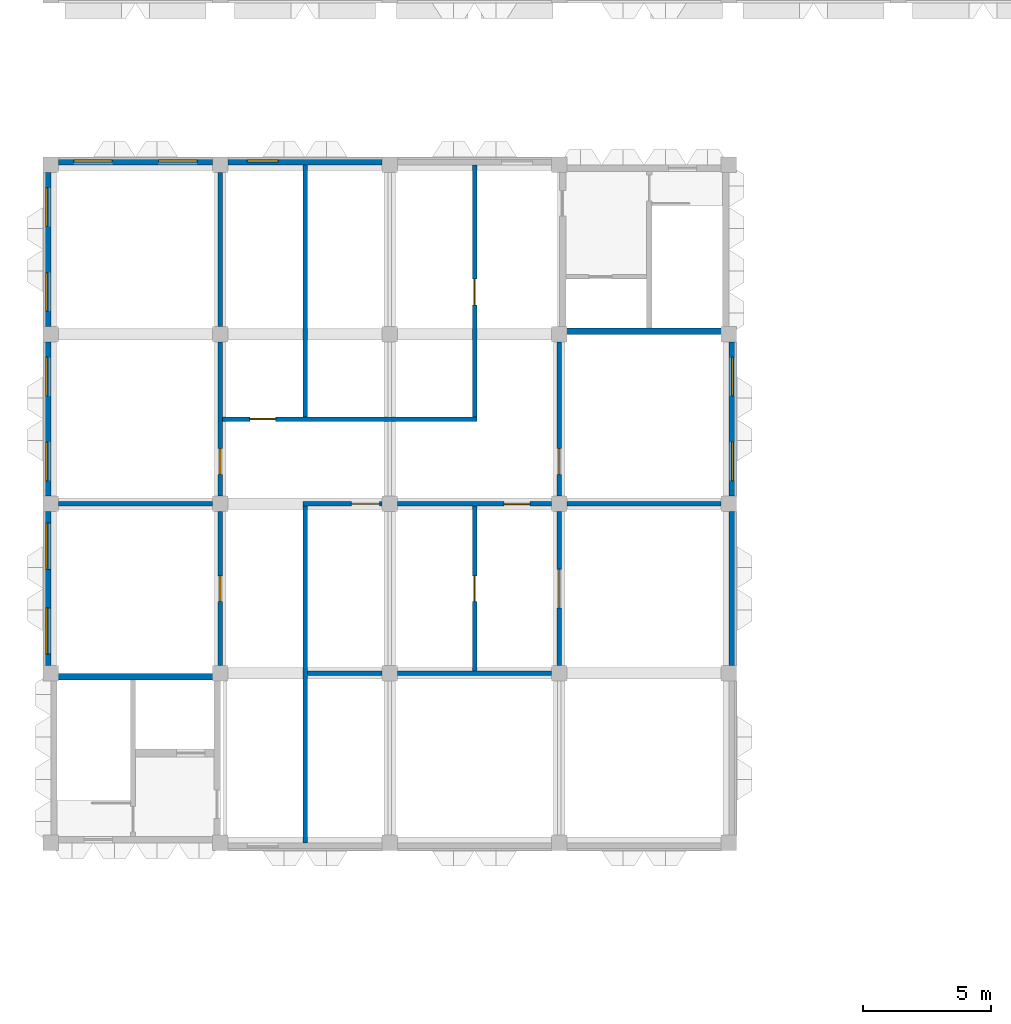
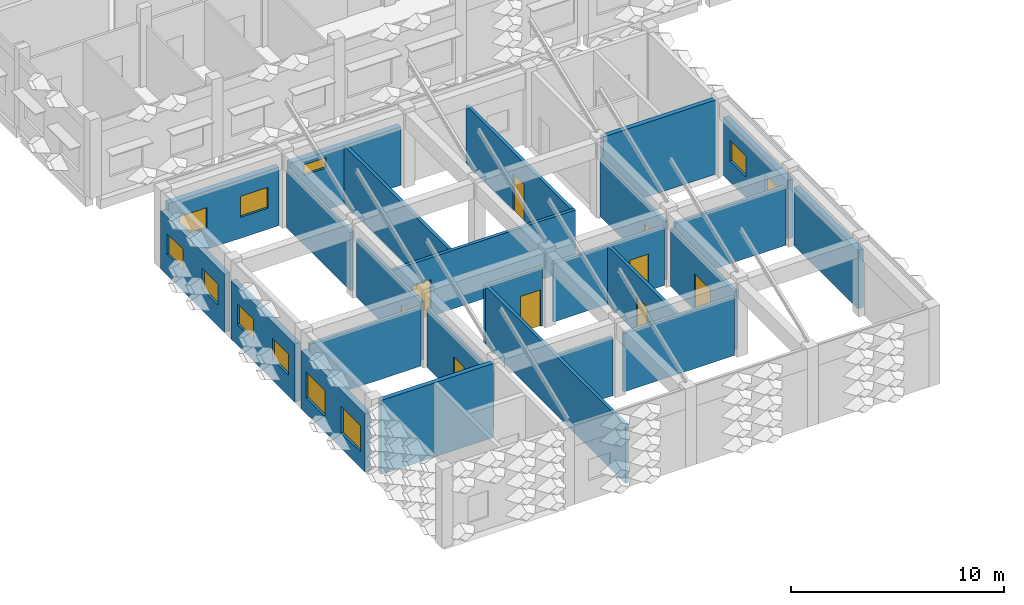
# One storey, part 48 of 102: 25 walls, 11 windows, 9 doors, 20 openings.
"""IFC4 building model written with IfcOpenShell, lengths in metres."""

from ifc_helpers import new_model, si_unit, direction, frame, frame_2d, origin, place, context, subcontext, project, spatial, rectangle, extrude, material, layer, layer_set, type_object, element, fill, save


model = new_model("IFC4")

# Units and contexts
model_context = context("Model", 3, precision=1e-05, world=origin(), true_north=direction((0.0, 1.0)))
body_context = subcontext(model_context, "Body", "Model", "MODEL_VIEW")
ifc_project = project(units=[si_unit("LENGTHUNIT", "METRE"), si_unit("AREAUNIT", "SQUARE_METRE"), si_unit("VOLUMEUNIT", "CUBIC_METRE"), si_unit("PLANEANGLEUNIT", "RADIAN"), si_unit("MASSUNIT", "GRAM", prefix="KILO")], contexts=[model_context])

# Site, building, storey
site_placement = place(None, origin())
site = spatial("IfcSite", under=ifc_project, at=site_placement, CompositionType="ELEMENT")
building_placement = place(site_placement, origin())
building = spatial("IfcBuilding", under=site, at=building_placement, Name="Lantern Court Research Institute", CompositionType="ELEMENT")
storey_placement = place(building_placement, frame((0.0, 0.0, 9.89990234375)))
storey = spatial("IfcBuildingStorey", under=building, at=storey_placement, Name="L02", CompositionType="ELEMENT", Elevation=9.89990234375)

# Walls
ifc_material_1 = material(Name="Coated metal-faced insulated panel")
ifc_layer_1 = layer(ifc_material_1, 0.175048828125)
ifc_layer_set_1 = layer_set([ifc_layer_1], Name="Coated metal-faced insulated panel")
wall_type_1 = type_object("IfcWallType", Name="Clean room wall 175 mm EI 60", PredefinedType="PARTITIONING", material=ifc_layer_set_1)
wall_1_placement = place(storey_placement, frame((9.988037109375, 56.10009765625, 0.0), z_axis=(0.0, 0.0, 1.0), x_axis=(1.0, 0.0, 0.0)))
element("IfcWall", 1, at=wall_1_placement, inside=storey, type_object=wall_type_1, Name="Wall V3-L02-001", PredefinedType="PARTITIONING", context=body_context, shape_type="SweptSolid", body=[
    extrude(rectangle(XDim=2.911865234375, YDim=0.175048828125, at=frame_2d((1.4560546875, 0.0))), origin(), (0.0, 0.0, 1.0), 3.35009765625),
])
for number, where, z_axis, x_axis, name in (
    (2, (13.5, 56.10009765625, 0.0), (0.0, 0.0, 1.0), (1.0, 0.0, 0.0), "Wall V3-L02-002"),
    (3, (0.300048828125, 62.699951171875, 0.0), (0.0, 0.0, 1.0), (1.0, 0.0, 0.0), "Wall V3-L02-003"),
):
    element("IfcWall", number, at=place(storey_placement, frame(where, z_axis=z_axis, x_axis=x_axis)), inside=storey, type_object=wall_type_1, Name=name, PredefinedType="PARTITIONING", context=body_context, shape_type="SweptSolid", body=[
        extrude(rectangle(XDim=6.0, YDim=0.175048828125, at=frame_2d((3.0, 0.0))), origin(), (0.0, 0.0, 1.0), 3.35009765625),
    ])

# Wall, opening, door
wall_2_placement = place(storey_placement, frame((12.89990234375, 62.699951171875, 0.0), z_axis=(0.0, 0.0, 1.0), x_axis=(-1.0, 0.0, 0.0)))
wall_2 = element("IfcWall", 4, at=wall_2_placement, inside=storey, type_object=wall_type_1, Name="Wall V3-L02-004", PredefinedType="PARTITIONING", context=body_context, shape_type="SweptSolid", body=[
    extrude(rectangle(XDim=3.087890625, YDim=0.175048828125, at=frame_2d((1.5439453125, 0.0))), origin(), (0.0, 0.0, 1.0), 3.35009765625),
])
opening_1_placement = place(wall_2_placement, frame((0.10009765625, 0.0, 0.0)))
opening_1 = element("IfcOpeningElement", 5, at=opening_1_placement, cuts=wall_2, Name="Opening D3201", PredefinedType="OPENING", context=body_context, shape_type="SweptSolid", body=[
    extrude(rectangle(XDim=1.10009765625, YDim=2.10009765625, at=frame_2d((0.550048828125, 1.050048828125))), frame((0.0, 0.097412109375, 0.0), z_axis=(0.0, -1.0, 0.0), x_axis=(1.0, 0.0, 0.0)), (0.0, 0.0, 1.0), 0.195068359375),
])
ifc_material_2 = material(Name="Hygienic coated metal door leaf")
door_type_1 = type_object("IfcDoorType", Name="Door 1100 x 2100 gowning FD30S", OperationType="NOTDEFINED", PredefinedType="DOOR", material=ifc_material_2)
door_1_placement = place(opening_1_placement, origin())
door_1 = element("IfcDoor", 6, at=door_1_placement, inside=storey, type_object=door_type_1, Name="Door D3201", OperationType="SINGLE_SWING_RIGHT", OverallHeight=2.10009765625, OverallWidth=1.10009765625, PredefinedType="DOOR", context=body_context, shape_type="SweptSolid", body=[
    extrude(rectangle(XDim=1.10009765625, YDim=2.10009765625, at=frame_2d((0.550048828125, 1.050048828125))), frame((0.0, 0.02490234375, 0.0), z_axis=(0.0, -1.0, 0.0), x_axis=(1.0, 0.0, 0.0)), (0.0, 0.0, 1.0), 0.050048828125),
])
fill(opening_1, door_1)

wall_3_placement = place(storey_placement, frame((13.5, 62.699951171875, 0.0), z_axis=(0.0, 0.0, 1.0), x_axis=(1.0, 0.0, 0.0)))
wall_3 = element("IfcWall", 7, at=wall_3_placement, inside=storey, type_object=wall_type_1, Name="Wall V3-L02-005", PredefinedType="PARTITIONING", context=body_context, shape_type="SweptSolid", body=[
    extrude(rectangle(XDim=6.0, YDim=0.175048828125, at=frame_2d((3.0, 0.0))), origin(), (0.0, 0.0, 1.0), 3.35009765625),
])
opening_2_placement = place(wall_3_placement, frame((4.14990234375, 0.0, 0.0)))
opening_2 = element("IfcOpeningElement", 8, at=opening_2_placement, cuts=wall_3, Name="Opening D3202", PredefinedType="OPENING", context=body_context, shape_type="SweptSolid", body=[
    extrude(rectangle(XDim=1.0, YDim=2.10009765625, at=frame_2d((0.5, 1.050048828125))), frame((0.0, 0.097412109375, 0.0), z_axis=(0.0, -1.0, 0.0), x_axis=(1.0, 0.0, 0.0)), (0.0, 0.0, 1.0), 0.195068359375),
])
ifc_material_3 = material(Name="Hygienic coated metal door leaf")
door_type_2 = type_object("IfcDoorType", Name="Door 1000 x 2100 clean room FD30S", OperationType="NOTDEFINED", PredefinedType="DOOR", material=ifc_material_3)
door_2_placement = place(opening_2_placement, origin())
door_2 = element("IfcDoor", 9, at=door_2_placement, inside=storey, type_object=door_type_2, Name="Door D3202", OperationType="SINGLE_SWING_LEFT", OverallHeight=2.10009765625, OverallWidth=1.0, PredefinedType="DOOR", context=body_context, shape_type="SweptSolid", body=[
    extrude(rectangle(XDim=1.0, YDim=2.10009765625, at=frame_2d((0.5, 1.050048828125))), frame((0.0, 0.02490234375, 0.0), z_axis=(0.0, -1.0, 0.0), x_axis=(1.0, 0.0, 0.0)), (0.0, 0.0, 1.0), 0.050048828125),
])
fill(opening_2, door_2)

# Wall
wall_4_placement = place(storey_placement, frame((20.10009765625, 62.699951171875, 0.0), z_axis=(0.0, 0.0, 1.0), x_axis=(1.0, 0.0, 0.0)))
element("IfcWall", 10, at=wall_4_placement, inside=storey, type_object=wall_type_1, Name="Wall V3-L02-006", PredefinedType="PARTITIONING", context=body_context, shape_type="SweptSolid", body=[
    extrude(rectangle(XDim=6.0, YDim=0.175048828125, at=frame_2d((3.0, 0.0))), origin(), (0.0, 0.0, 1.0), 3.35009765625),
])

# Wall, opening, door
wall_5_placement = place(storey_placement, frame((6.68798828125, 66.0, 0.0), z_axis=(0.0, 0.0, 1.0), x_axis=(1.0, 0.0, 0.0)))
wall_5 = element("IfcWall", 11, at=wall_5_placement, inside=storey, type_object=wall_type_1, Name="Wall V3-L02-007", PredefinedType="PARTITIONING", context=body_context, shape_type="SweptSolid", body=[
    extrude(rectangle(XDim=9.89892578125, YDim=0.175048828125, at=frame_2d((4.949462890625, 0.0))), origin(), (0.0, 0.0, 1.0), 3.35009765625),
])
opening_3_placement = place(wall_5_placement, frame((1.06201171875, 0.0, 0.0)))
opening_3 = element("IfcOpeningElement", 12, at=opening_3_placement, cuts=wall_5, Name="Opening D3203", PredefinedType="OPENING", context=body_context, shape_type="SweptSolid", body=[
    extrude(rectangle(XDim=1.0, YDim=2.10009765625, at=frame_2d((0.5, 1.050048828125))), frame((0.0, 0.097412109375, 0.0), z_axis=(0.0, -1.0, 0.0), x_axis=(1.0, 0.0, 0.0)), (0.0, 0.0, 1.0), 0.195068359375),
])
ifc_material_4 = material(Name="Coated metal door leaf")
door_type_3 = type_object("IfcDoorType", Name="Door 1000 x 2100 plant FD60", OperationType="NOTDEFINED", PredefinedType="DOOR", material=ifc_material_4)
door_3_placement = place(opening_3_placement, origin())
door_3 = element("IfcDoor", 13, at=door_3_placement, inside=storey, type_object=door_type_3, Name="Door D3203", OperationType="SINGLE_SWING_LEFT", OverallHeight=2.10009765625, OverallWidth=1.0, PredefinedType="DOOR", context=body_context, shape_type="SweptSolid", body=[
    extrude(rectangle(XDim=1.0, YDim=2.10009765625, at=frame_2d((0.5, 1.050048828125))), frame((0.0, 0.02490234375, 0.0), z_axis=(0.0, -1.0, 0.0), x_axis=(1.0, 0.0, 0.0)), (0.0, 0.0, 1.0), 0.050048828125),
])
fill(opening_3, door_3)

wall_6_placement = place(storey_placement, frame((6.60009765625, 56.39990234375, 0.0), z_axis=(0.0, 0.0, 1.0), x_axis=(0.0, 1.0, 0.0)))
wall_6 = element("IfcWall", 14, at=wall_6_placement, inside=storey, type_object=wall_type_1, Name="Wall V3-L02-008", PredefinedType="PARTITIONING", context=body_context, shape_type="SweptSolid", body=[
    extrude(rectangle(XDim=6.0, YDim=0.175048828125, at=frame_2d((3.0, 0.0))), origin(), (0.0, 0.0, 1.0), 3.35009765625),
])
opening_4_placement = place(wall_6_placement, frame((2.5, 0.0, 0.0)))
opening_4 = element("IfcOpeningElement", 15, at=opening_4_placement, cuts=wall_6, Name="Opening D3204", PredefinedType="OPENING", context=body_context, shape_type="SweptSolid", body=[
    extrude(rectangle(XDim=1.0, YDim=2.10009765625, at=frame_2d((0.5, 1.050048828125))), frame((0.0, 0.097412109375, 0.0), z_axis=(0.0, -1.0, 0.0), x_axis=(1.0, 0.0, 0.0)), (0.0, 0.0, 1.0), 0.195068359375),
])
door_4_placement = place(opening_4_placement, origin())
door_4 = element("IfcDoor", 16, at=door_4_placement, inside=storey, type_object=door_type_2, Name="Door D3204", OperationType="SINGLE_SWING_LEFT", OverallHeight=2.10009765625, OverallWidth=1.0, PredefinedType="DOOR", context=body_context, shape_type="SweptSolid", body=[
    extrude(rectangle(XDim=1.0, YDim=2.10009765625, at=frame_2d((0.5, 1.050048828125))), frame((0.0, 0.02490234375, 0.0), z_axis=(0.0, -1.0, 0.0), x_axis=(1.0, 0.0, 0.0)), (0.0, 0.0, 1.0), 0.050048828125),
])
fill(opening_4, door_4)

wall_7_placement = place(storey_placement, frame((6.60009765625, 63.0, 0.0), z_axis=(0.0, 0.0, 1.0), x_axis=(0.0, 1.0, 0.0)))
wall_7 = element("IfcWall", 17, at=wall_7_placement, inside=storey, type_object=wall_type_1, Name="Wall V3-L02-009", PredefinedType="PARTITIONING", context=body_context, shape_type="SweptSolid", body=[
    extrude(rectangle(XDim=6.0, YDim=0.175048828125, at=frame_2d((3.0, 0.0))), origin(), (0.0, 0.0, 1.0), 3.35009765625),
])
opening_5_placement = place(wall_7_placement, frame((0.85009765625, 0.0, 0.0)))
opening_5 = element("IfcOpeningElement", 18, at=opening_5_placement, cuts=wall_7, Name="Opening D3205", PredefinedType="OPENING", context=body_context, shape_type="SweptSolid", body=[
    extrude(rectangle(XDim=1.0, YDim=2.10009765625, at=frame_2d((0.5, 1.050048828125))), frame((0.0, 0.097412109375, 0.0), z_axis=(0.0, -1.0, 0.0), x_axis=(1.0, 0.0, 0.0)), (0.0, 0.0, 1.0), 0.195068359375),
])
door_5_placement = place(opening_5_placement, origin())
door_5 = element("IfcDoor", 19, at=door_5_placement, inside=storey, type_object=door_type_2, Name="Door D3205", OperationType="SINGLE_SWING_LEFT", OverallHeight=2.10009765625, OverallWidth=1.0, PredefinedType="DOOR", context=body_context, shape_type="SweptSolid", body=[
    extrude(rectangle(XDim=1.0, YDim=2.10009765625, at=frame_2d((0.5, 1.050048828125))), frame((0.0, 0.02490234375, 0.0), z_axis=(0.0, -1.0, 0.0), x_axis=(1.0, 0.0, 0.0)), (0.0, 0.0, 1.0), 0.050048828125),
])
fill(opening_5, door_5)

# Walls
wall_8_placement = place(storey_placement, frame((6.60009765625, 69.60009765625, 0.0), z_axis=(0.0, 0.0, 1.0), x_axis=(0.0, 1.0, 0.0)))
element("IfcWall", 20, at=wall_8_placement, inside=storey, type_object=wall_type_1, Name="Wall V3-L02-010", PredefinedType="PARTITIONING", context=body_context, shape_type="SweptSolid", body=[
    extrude(rectangle(XDim=6.0, YDim=0.175048828125, at=frame_2d((3.0, 0.0))), origin(), (0.0, 0.0, 1.0), 3.35009765625),
])
wall_9_placement = place(storey_placement, frame((9.89990234375, 49.5, 0.0), z_axis=(0.0, 0.0, 1.0), x_axis=(0.0, 1.0, 0.0)))
element("IfcWall", 21, at=wall_9_placement, inside=storey, type_object=wall_type_1, Name="Wall V3-L02-011", PredefinedType="PARTITIONING", context=body_context, shape_type="SweptSolid", body=[
    extrude(rectangle(XDim=13.113037109375, YDim=0.175048828125, at=frame_2d((6.556640625, 0.0))), origin(), (0.0, 0.0, 1.0), 3.35009765625),
])
wall_10_placement = place(storey_placement, frame((9.89990234375, 66.087890625, 0.0), z_axis=(0.0, 0.0, 1.0), x_axis=(0.0, 1.0, 0.0)))
element("IfcWall", 22, at=wall_10_placement, inside=storey, type_object=wall_type_1, Name="Wall V3-L02-012", PredefinedType="PARTITIONING", context=body_context, shape_type="SweptSolid", body=[
    extrude(rectangle(XDim=9.81201171875, YDim=0.175048828125, at=frame_2d((4.906005859375, 0.0))), origin(), (0.0, 0.0, 1.0), 3.35009765625),
])

# Wall, opening, door
wall_11_placement = place(storey_placement, frame((16.5, 56.18798828125, 0.0), z_axis=(0.0, 0.0, 1.0), x_axis=(0.0, 1.0, 0.0)))
wall_11 = element("IfcWall", 23, at=wall_11_placement, inside=storey, type_object=wall_type_1, Name="Wall V3-L02-013", PredefinedType="PARTITIONING", context=body_context, shape_type="SweptSolid", body=[
    extrude(rectangle(XDim=6.425048828125, YDim=0.175048828125, at=frame_2d((3.21240234375, 0.0))), origin(), (0.0, 0.0, 1.0), 3.35009765625),
])
opening_6_placement = place(wall_11_placement, frame((2.7119140625, 0.0, 0.0)))
opening_6 = element("IfcOpeningElement", 24, at=opening_6_placement, cuts=wall_11, Name="Opening D3206", PredefinedType="OPENING", context=body_context, shape_type="SweptSolid", body=[
    extrude(rectangle(XDim=1.0, YDim=2.10009765625, at=frame_2d((0.5, 1.050048828125))), frame((0.0, 0.097412109375, 0.0), z_axis=(0.0, -1.0, 0.0), x_axis=(1.0, 0.0, 0.0)), (0.0, 0.0, 1.0), 0.195068359375),
])
door_6_placement = place(opening_6_placement, origin())
door_6 = element("IfcDoor", 25, at=door_6_placement, inside=storey, type_object=door_type_2, Name="Door D3206", OperationType="SINGLE_SWING_LEFT", OverallHeight=2.10009765625, OverallWidth=1.0, PredefinedType="DOOR", context=body_context, shape_type="SweptSolid", body=[
    extrude(rectangle(XDim=1.0, YDim=2.10009765625, at=frame_2d((0.5, 1.050048828125))), frame((0.0, 0.02490234375, 0.0), z_axis=(0.0, -1.0, 0.0), x_axis=(1.0, 0.0, 0.0)), (0.0, 0.0, 1.0), 0.050048828125),
])
fill(opening_6, door_6)

wall_12_placement = place(storey_placement, frame((16.5, 66.087890625, 0.0), z_axis=(0.0, 0.0, 1.0), x_axis=(0.0, 1.0, 0.0)))
wall_12 = element("IfcWall", 26, at=wall_12_placement, inside=storey, type_object=wall_type_1, Name="Wall V3-L02-014", PredefinedType="PARTITIONING", context=body_context, shape_type="SweptSolid", body=[
    extrude(rectangle(XDim=9.81201171875, YDim=0.175048828125, at=frame_2d((4.906005859375, 0.0))), origin(), (0.0, 0.0, 1.0), 3.35009765625),
])
opening_7_placement = place(wall_12_placement, frame((4.362060546875, 0.0, 0.0)))
opening_7 = element("IfcOpeningElement", 27, at=opening_7_placement, cuts=wall_12, Name="Opening D3207", PredefinedType="OPENING", context=body_context, shape_type="SweptSolid", body=[
    extrude(rectangle(XDim=1.0, YDim=2.10009765625, at=frame_2d((0.5, 1.050048828125))), frame((0.0, 0.097412109375, 0.0), z_axis=(0.0, -1.0, 0.0), x_axis=(1.0, 0.0, 0.0)), (0.0, 0.0, 1.0), 0.195068359375),
])
door_7_placement = place(opening_7_placement, origin())
door_7 = element("IfcDoor", 28, at=door_7_placement, inside=storey, type_object=door_type_3, Name="Door D3207", OperationType="SINGLE_SWING_LEFT", OverallHeight=2.10009765625, OverallWidth=1.0, PredefinedType="DOOR", context=body_context, shape_type="SweptSolid", body=[
    extrude(rectangle(XDim=1.0, YDim=2.10009765625, at=frame_2d((0.5, 1.050048828125))), frame((0.0, 0.02490234375, 0.0), z_axis=(0.0, -1.0, 0.0), x_axis=(1.0, 0.0, 0.0)), (0.0, 0.0, 1.0), 0.050048828125),
])
fill(opening_7, door_7)

wall_13_placement = place(storey_placement, frame((19.800048828125, 56.39990234375, 0.0), z_axis=(0.0, 0.0, 1.0), x_axis=(0.0, 1.0, 0.0)))
wall_13 = element("IfcWall", 29, at=wall_13_placement, inside=storey, type_object=wall_type_1, Name="Wall V3-L02-015", PredefinedType="PARTITIONING", context=body_context, shape_type="SweptSolid", body=[
    extrude(rectangle(XDim=6.0, YDim=0.175048828125, at=frame_2d((3.0, 0.0))), origin(), (0.0, 0.0, 1.0), 3.35009765625),
])
opening_8_placement = place(wall_13_placement, frame((2.25, 0.0, 0.0)))
opening_8 = element("IfcOpeningElement", 30, at=opening_8_placement, cuts=wall_13, Name="Opening D3208", PredefinedType="OPENING", context=body_context, shape_type="SweptSolid", body=[
    extrude(rectangle(XDim=1.5, YDim=2.10009765625, at=frame_2d((0.75, 1.050048828125))), frame((0.0, 0.097412109375, 0.0), z_axis=(0.0, -1.0, 0.0), x_axis=(1.0, 0.0, 0.0)), (0.0, 0.0, 1.0), 0.195068359375),
])
ifc_material_5 = material(Name="Hygienic coated metal door leaf")
door_type_4 = type_object("IfcDoorType", Name="Door 1500 x 2100 clean room pair FD30S", OperationType="DOUBLE_DOOR_SINGLE_SWING", PredefinedType="DOOR", material=ifc_material_5)
door_8_placement = place(opening_8_placement, origin())
door_8 = element("IfcDoor", 31, at=door_8_placement, inside=storey, type_object=door_type_4, Name="Door D3208", OperationType="DOUBLE_DOOR_SINGLE_SWING", OverallHeight=2.10009765625, OverallWidth=1.5, PredefinedType="DOOR", context=body_context, shape_type="SweptSolid", body=[
    extrude(rectangle(XDim=1.5, YDim=2.10009765625, at=frame_2d((0.75, 1.050048828125))), frame((0.0, 0.02490234375, 0.0), z_axis=(0.0, -1.0, 0.0), x_axis=(1.0, 0.0, 0.0)), (0.0, 0.0, 1.0), 0.050048828125),
])
fill(opening_8, door_8)

wall_14_placement = place(storey_placement, frame((19.800048828125, 69.0, 0.0), z_axis=(0.0, 0.0, 1.0), x_axis=(0.0, -1.0, 0.0)))
wall_14 = element("IfcWall", 32, at=wall_14_placement, inside=storey, type_object=wall_type_1, Name="Wall V3-L02-016", PredefinedType="PARTITIONING", context=body_context, shape_type="SweptSolid", body=[
    extrude(rectangle(XDim=6.0, YDim=0.175048828125, at=frame_2d((3.0, 0.0))), origin(), (0.0, 0.0, 1.0), 3.35009765625),
])
opening_9_placement = place(wall_14_placement, frame((4.14990234375, 0.0, 0.0)))
opening_9 = element("IfcOpeningElement", 33, at=opening_9_placement, cuts=wall_14, Name="Opening D3209", PredefinedType="OPENING", context=body_context, shape_type="SweptSolid", body=[
    extrude(rectangle(XDim=1.0, YDim=2.10009765625, at=frame_2d((0.5, 1.050048828125))), frame((0.0, 0.097412109375, 0.0), z_axis=(0.0, -1.0, 0.0), x_axis=(1.0, 0.0, 0.0)), (0.0, 0.0, 1.0), 0.195068359375),
])
door_9_placement = place(opening_9_placement, origin())
door_9 = element("IfcDoor", 34, at=door_9_placement, inside=storey, type_object=door_type_2, Name="Door D3209", OperationType="SINGLE_SWING_RIGHT", OverallHeight=2.10009765625, OverallWidth=1.0, PredefinedType="DOOR", context=body_context, shape_type="SweptSolid", body=[
    extrude(rectangle(XDim=1.0, YDim=2.10009765625, at=frame_2d((0.5, 1.050048828125))), frame((0.0, 0.02490234375, 0.0), z_axis=(0.0, -1.0, 0.0), x_axis=(1.0, 0.0, 0.0)), (0.0, 0.0, 1.0), 0.050048828125),
])
fill(opening_9, door_9)

# Wall
ifc_material_6 = material(Name="Aluminium composite panel with mineral wool insulation", Category="aluminium")
ifc_layer_2 = layer(ifc_material_6, 0.300048828125)
ifc_layer_set_2 = layer_set([ifc_layer_2], Name="Aluminium composite panel with mineral wool insulation")
wall_type_2 = type_object("IfcWallType", Name="Insulated panel wall 300 aluminium faced", PredefinedType="STANDARD", material=ifc_layer_set_2)
wall_15_placement = place(storey_placement, frame((26.550048828125, 62.39990234375, 0.0), z_axis=(0.0, 0.0, 1.0), x_axis=(0.0, -1.0, 0.0)))
element("IfcWall", 35, at=wall_15_placement, inside=storey, type_object=wall_type_2, Name="Exterior wall EW132", PredefinedType="STANDARD", context=body_context, shape_type="SweptSolid", body=[
    extrude(rectangle(XDim=6.0, YDim=0.300048828125, at=frame_2d((3.0, 0.0))), origin(), (0.0, 0.0, 1.0), 3.35009765625),
])

# Wall, openings, windows
wall_16_placement = place(storey_placement, frame((26.550048828125, 69.0, 0.0), z_axis=(0.0, 0.0, 1.0), x_axis=(0.0, -1.0, 0.0)))
wall_16 = element("IfcWall", 36, at=wall_16_placement, inside=storey, type_object=wall_type_2, Name="Exterior wall EW133", PredefinedType="STANDARD", context=body_context, shape_type="SweptSolid", body=[
    extrude(rectangle(XDim=6.0, YDim=0.300048828125, at=frame_2d((3.0, 0.0))), origin(), (0.0, 0.0, 1.0), 3.35009765625),
])
opening_10_placement = place(wall_16_placement, frame((3.89990234375, 0.0, 1.199951171875)))
opening_10 = element("IfcOpeningElement", 37, at=opening_10_placement, cuts=wall_16, Name="Opening W04", PredefinedType="OPENING", context=body_context, shape_type="SweptSolid", body=[
    extrude(rectangle(XDim=1.5, YDim=1.199951171875, at=frame_2d((0.75, 0.60009765625))), frame((0.0, 0.159912109375, 0.0), z_axis=(0.0, -1.0, 0.0), x_axis=(1.0, 0.0, 0.0)), (0.0, 0.0, 1.0), 0.320068359375),
])
opening_11_placement = place(wall_16_placement, frame((0.60009765625, 0.0, 1.199951171875)))
opening_11 = element("IfcOpeningElement", 38, at=opening_11_placement, cuts=wall_16, Name="Opening W04", PredefinedType="OPENING", context=body_context, shape_type="SweptSolid", body=[
    extrude(rectangle(XDim=1.5, YDim=1.199951171875, at=frame_2d((0.75, 0.60009765625))), frame((0.0, 0.159912109375, 0.0), z_axis=(0.0, -1.0, 0.0), x_axis=(1.0, 0.0, 0.0)), (0.0, 0.0, 1.0), 0.320068359375),
])
ifc_material_7 = material(Name="Aluminium frame with laminated low-emissivity glazing", Category="aluminium")
window_type_1 = type_object("IfcWindowType", Name="Laboratory window 1500 x 1200", PartitioningType="SINGLE_PANEL", PredefinedType="WINDOW", material=ifc_material_7)
window_1_placement = place(opening_10_placement, origin())
window_1 = element("IfcWindow", 39, at=window_1_placement, inside=storey, type_object=window_type_1, Name="Window W04 V3E L02", OverallHeight=1.199951171875, OverallWidth=1.5, PartitioningType="SINGLE_PANEL", PredefinedType="WINDOW", context=body_context, shape_type="SweptSolid", body=[
    extrude(rectangle(XDim=1.5, YDim=1.199951171875, at=frame_2d((0.75, 0.60009765625))), frame((0.0, 0.030029296875, 0.0), z_axis=(0.0, -1.0, 0.0), x_axis=(1.0, 0.0, 0.0)), (0.0, 0.0, 1.0), 0.06005859375),
])
fill(opening_10, window_1)
window_2_placement = place(opening_11_placement, origin())
window_2 = element("IfcWindow", 40, at=window_2_placement, inside=storey, type_object=window_type_1, Name="Window W04 V3E L02", OverallHeight=1.199951171875, OverallWidth=1.5, PartitioningType="SINGLE_PANEL", PredefinedType="WINDOW", context=body_context, shape_type="SweptSolid", body=[
    extrude(rectangle(XDim=1.5, YDim=1.199951171875, at=frame_2d((0.75, 0.60009765625))), frame((0.0, 0.030029296875, 0.0), z_axis=(0.0, -1.0, 0.0), x_axis=(1.0, 0.0, 0.0)), (0.0, 0.0, 1.0), 0.06005859375),
])
fill(opening_11, window_2)

wall_17_placement = place(storey_placement, frame((0.300048828125, 76.050048828125, 0.0), z_axis=(0.0, 0.0, 1.0), x_axis=(1.0, 0.0, 0.0)))
wall_17 = element("IfcWall", 41, at=wall_17_placement, inside=storey, type_object=wall_type_2, Name="Exterior wall EW134", PredefinedType="STANDARD", context=body_context, shape_type="SweptSolid", body=[
    extrude(rectangle(XDim=6.0, YDim=0.300048828125, at=frame_2d((3.0, 0.0))), origin(), (0.0, 0.0, 1.0), 3.35009765625),
])
opening_12_placement = place(wall_17_placement, frame((0.60009765625, 0.0, 1.199951171875)))
opening_12 = element("IfcOpeningElement", 42, at=opening_12_placement, cuts=wall_17, Name="Opening W04", PredefinedType="OPENING", context=body_context, shape_type="SweptSolid", body=[
    extrude(rectangle(XDim=1.5, YDim=1.199951171875, at=frame_2d((0.75, 0.60009765625))), frame((0.0, 0.159912109375, 0.0), z_axis=(0.0, -1.0, 0.0), x_axis=(1.0, 0.0, 0.0)), (0.0, 0.0, 1.0), 0.320068359375),
])
opening_13_placement = place(wall_17_placement, frame((3.89990234375, 0.0, 1.199951171875)))
opening_13 = element("IfcOpeningElement", 43, at=opening_13_placement, cuts=wall_17, Name="Opening W04", PredefinedType="OPENING", context=body_context, shape_type="SweptSolid", body=[
    extrude(rectangle(XDim=1.5, YDim=1.199951171875, at=frame_2d((0.75, 0.60009765625))), frame((0.0, 0.159912109375, 0.0), z_axis=(0.0, -1.0, 0.0), x_axis=(1.0, 0.0, 0.0)), (0.0, 0.0, 1.0), 0.320068359375),
])
window_3_placement = place(opening_12_placement, origin())
window_3 = element("IfcWindow", 44, at=window_3_placement, inside=storey, type_object=window_type_1, Name="Window W04 V3N L02", OverallHeight=1.199951171875, OverallWidth=1.5, PartitioningType="SINGLE_PANEL", PredefinedType="WINDOW", context=body_context, shape_type="SweptSolid", body=[
    extrude(rectangle(XDim=1.5, YDim=1.199951171875, at=frame_2d((0.75, 0.60009765625))), frame((0.0, 0.030029296875, 0.0), z_axis=(0.0, -1.0, 0.0), x_axis=(1.0, 0.0, 0.0)), (0.0, 0.0, 1.0), 0.06005859375),
])
fill(opening_12, window_3)
window_4_placement = place(opening_13_placement, origin())
window_4 = element("IfcWindow", 45, at=window_4_placement, inside=storey, type_object=window_type_1, Name="Window W04 V3N L02", OverallHeight=1.199951171875, OverallWidth=1.5, PartitioningType="SINGLE_PANEL", PredefinedType="WINDOW", context=body_context, shape_type="SweptSolid", body=[
    extrude(rectangle(XDim=1.5, YDim=1.199951171875, at=frame_2d((0.75, 0.60009765625))), frame((0.0, 0.030029296875, 0.0), z_axis=(0.0, -1.0, 0.0), x_axis=(1.0, 0.0, 0.0)), (0.0, 0.0, 1.0), 0.06005859375),
])
fill(opening_13, window_4)

# Wall, opening, window
wall_18_placement = place(storey_placement, frame((6.89990234375, 76.050048828125, 0.0), z_axis=(0.0, 0.0, 1.0), x_axis=(1.0, 0.0, 0.0)))
wall_18 = element("IfcWall", 46, at=wall_18_placement, inside=storey, type_object=wall_type_2, Name="Exterior wall EW135", PredefinedType="STANDARD", context=body_context, shape_type="SweptSolid", body=[
    extrude(rectangle(XDim=6.0, YDim=0.300048828125, at=frame_2d((3.0, 0.0))), origin(), (0.0, 0.0, 1.0), 3.35009765625),
])
opening_14_placement = place(wall_18_placement, frame((0.75, 0.0, 2.39990234375)))
opening_14 = element("IfcOpeningElement", 47, at=opening_14_placement, cuts=wall_18, Name="Opening W06", PredefinedType="OPENING", context=body_context, shape_type="SweptSolid", body=[
    extrude(rectangle(XDim=1.199951171875, YDim=0.60009765625, at=frame_2d((0.60009765625, 0.300048828125))), frame((0.0, 0.159912109375, 0.0), z_axis=(0.0, -1.0, 0.0), x_axis=(1.0, 0.0, 0.0)), (0.0, 0.0, 1.0), 0.320068359375),
])
ifc_material_8 = material(Name="Aluminium frame with laminated low-emissivity glazing", Category="aluminium")
window_type_2 = type_object("IfcWindowType", Name="Store high-level window 1200 x 600", PartitioningType="SINGLE_PANEL", PredefinedType="WINDOW", material=ifc_material_8)
window_5_placement = place(opening_14_placement, origin())
window_5 = element("IfcWindow", 48, at=window_5_placement, inside=storey, type_object=window_type_2, Name="Window W06 V3N L02", OverallHeight=0.60009765625, OverallWidth=1.199951171875, PartitioningType="SINGLE_PANEL", PredefinedType="WINDOW", context=body_context, shape_type="SweptSolid", body=[
    extrude(rectangle(XDim=1.199951171875, YDim=0.60009765625, at=frame_2d((0.60009765625, 0.300048828125))), frame((0.0, 0.030029296875, 0.0), z_axis=(0.0, -1.0, 0.0), x_axis=(1.0, 0.0, 0.0)), (0.0, 0.0, 1.0), 0.06005859375),
])
fill(opening_14, window_5)

# Wall, openings, windows
wall_19_placement = place(storey_placement, frame((-0.14990234375, 56.39990234375, 0.0), z_axis=(0.0, 0.0, 1.0), x_axis=(0.0, 1.0, 0.0)))
wall_19 = element("IfcWall", 49, at=wall_19_placement, inside=storey, type_object=wall_type_2, Name="Exterior wall EW140", PredefinedType="STANDARD", context=body_context, shape_type="SweptSolid", body=[
    extrude(rectangle(XDim=6.0, YDim=0.300048828125, at=frame_2d((3.0, 0.0))), origin(), (0.0, 0.0, 1.0), 3.35009765625),
])
opening_15_placement = place(wall_19_placement, frame((0.449951171875, 0.0, 0.89990234375)))
opening_15 = element("IfcOpeningElement", 50, at=opening_15_placement, cuts=wall_19, Name="Opening W14", PredefinedType="OPENING", context=body_context, shape_type="SweptSolid", body=[
    extrude(rectangle(XDim=1.800048828125, YDim=1.5, at=frame_2d((0.89990234375, 0.75))), frame((0.0, 0.159912109375, 0.0), z_axis=(0.0, -1.0, 0.0), x_axis=(1.0, 0.0, 0.0)), (0.0, 0.0, 1.0), 0.320068359375),
])
opening_16_placement = place(wall_19_placement, frame((3.75, 0.0, 0.89990234375)))
opening_16 = element("IfcOpeningElement", 51, at=opening_16_placement, cuts=wall_19, Name="Opening W14", PredefinedType="OPENING", context=body_context, shape_type="SweptSolid", body=[
    extrude(rectangle(XDim=1.800048828125, YDim=1.5, at=frame_2d((0.89990234375, 0.75))), frame((0.0, 0.159912109375, 0.0), z_axis=(0.0, -1.0, 0.0), x_axis=(1.0, 0.0, 0.0)), (0.0, 0.0, 1.0), 0.320068359375),
])
ifc_material_9 = material(Name="Aluminium frame with laminated low-emissivity glazing", Category="aluminium")
window_type_3 = type_object("IfcWindowType", Name="Office window 1800 x 1500", PartitioningType="SINGLE_PANEL", PredefinedType="WINDOW", material=ifc_material_9)
window_6_placement = place(opening_15_placement, origin())
window_6 = element("IfcWindow", 52, at=window_6_placement, inside=storey, type_object=window_type_3, Name="Window W14 V3W L02", OverallHeight=1.5, OverallWidth=1.800048828125, PartitioningType="SINGLE_PANEL", PredefinedType="WINDOW", context=body_context, shape_type="SweptSolid", body=[
    extrude(rectangle(XDim=1.800048828125, YDim=1.5, at=frame_2d((0.89990234375, 0.75))), frame((0.0, 0.030029296875, 0.0), z_axis=(0.0, -1.0, 0.0), x_axis=(1.0, 0.0, 0.0)), (0.0, 0.0, 1.0), 0.06005859375),
])
fill(opening_15, window_6)
window_7_placement = place(opening_16_placement, origin())
window_7 = element("IfcWindow", 53, at=window_7_placement, inside=storey, type_object=window_type_3, Name="Window W14 V3W L02", OverallHeight=1.5, OverallWidth=1.800048828125, PartitioningType="SINGLE_PANEL", PredefinedType="WINDOW", context=body_context, shape_type="SweptSolid", body=[
    extrude(rectangle(XDim=1.800048828125, YDim=1.5, at=frame_2d((0.89990234375, 0.75))), frame((0.0, 0.030029296875, 0.0), z_axis=(0.0, -1.0, 0.0), x_axis=(1.0, 0.0, 0.0)), (0.0, 0.0, 1.0), 0.06005859375),
])
fill(opening_16, window_7)

wall_20_placement = place(storey_placement, frame((-0.14990234375, 63.0, 0.0), z_axis=(0.0, 0.0, 1.0), x_axis=(0.0, 1.0, 0.0)))
wall_20 = element("IfcWall", 54, at=wall_20_placement, inside=storey, type_object=wall_type_2, Name="Exterior wall EW141", PredefinedType="STANDARD", context=body_context, shape_type="SweptSolid", body=[
    extrude(rectangle(XDim=6.0, YDim=0.300048828125, at=frame_2d((3.0, 0.0))), origin(), (0.0, 0.0, 1.0), 3.35009765625),
])
opening_17_placement = place(wall_20_placement, frame((0.60009765625, 0.0, 1.199951171875)))
opening_17 = element("IfcOpeningElement", 55, at=opening_17_placement, cuts=wall_20, Name="Opening W04", PredefinedType="OPENING", context=body_context, shape_type="SweptSolid", body=[
    extrude(rectangle(XDim=1.5, YDim=1.199951171875, at=frame_2d((0.75, 0.60009765625))), frame((0.0, 0.159912109375, 0.0), z_axis=(0.0, -1.0, 0.0), x_axis=(1.0, 0.0, 0.0)), (0.0, 0.0, 1.0), 0.320068359375),
])
opening_18_placement = place(wall_20_placement, frame((3.89990234375, 0.0, 1.199951171875)))
opening_18 = element("IfcOpeningElement", 56, at=opening_18_placement, cuts=wall_20, Name="Opening W04", PredefinedType="OPENING", context=body_context, shape_type="SweptSolid", body=[
    extrude(rectangle(XDim=1.5, YDim=1.199951171875, at=frame_2d((0.75, 0.60009765625))), frame((0.0, 0.159912109375, 0.0), z_axis=(0.0, -1.0, 0.0), x_axis=(1.0, 0.0, 0.0)), (0.0, 0.0, 1.0), 0.320068359375),
])
window_8_placement = place(opening_17_placement, origin())
window_8 = element("IfcWindow", 57, at=window_8_placement, inside=storey, type_object=window_type_1, Name="Window W04 V3W L02", OverallHeight=1.199951171875, OverallWidth=1.5, PartitioningType="SINGLE_PANEL", PredefinedType="WINDOW", context=body_context, shape_type="SweptSolid", body=[
    extrude(rectangle(XDim=1.5, YDim=1.199951171875, at=frame_2d((0.75, 0.60009765625))), frame((0.0, 0.030029296875, 0.0), z_axis=(0.0, -1.0, 0.0), x_axis=(1.0, 0.0, 0.0)), (0.0, 0.0, 1.0), 0.06005859375),
])
fill(opening_17, window_8)
window_9_placement = place(opening_18_placement, origin())
window_9 = element("IfcWindow", 58, at=window_9_placement, inside=storey, type_object=window_type_1, Name="Window W04 V3W L02", OverallHeight=1.199951171875, OverallWidth=1.5, PartitioningType="SINGLE_PANEL", PredefinedType="WINDOW", context=body_context, shape_type="SweptSolid", body=[
    extrude(rectangle(XDim=1.5, YDim=1.199951171875, at=frame_2d((0.75, 0.60009765625))), frame((0.0, 0.030029296875, 0.0), z_axis=(0.0, -1.0, 0.0), x_axis=(1.0, 0.0, 0.0)), (0.0, 0.0, 1.0), 0.06005859375),
])
fill(opening_18, window_9)

wall_21_placement = place(storey_placement, frame((-0.14990234375, 69.60009765625, 0.0), z_axis=(0.0, 0.0, 1.0), x_axis=(0.0, 1.0, 0.0)))
wall_21 = element("IfcWall", 59, at=wall_21_placement, inside=storey, type_object=wall_type_2, Name="Exterior wall EW142", PredefinedType="STANDARD", context=body_context, shape_type="SweptSolid", body=[
    extrude(rectangle(XDim=6.0, YDim=0.300048828125, at=frame_2d((3.0, 0.0))), origin(), (0.0, 0.0, 1.0), 3.35009765625),
])
opening_19_placement = place(wall_21_placement, frame((0.60009765625, 0.0, 1.199951171875)))
opening_19 = element("IfcOpeningElement", 60, at=opening_19_placement, cuts=wall_21, Name="Opening W04", PredefinedType="OPENING", context=body_context, shape_type="SweptSolid", body=[
    extrude(rectangle(XDim=1.5, YDim=1.199951171875, at=frame_2d((0.75, 0.60009765625))), frame((0.0, 0.159912109375, 0.0), z_axis=(0.0, -1.0, 0.0), x_axis=(1.0, 0.0, 0.0)), (0.0, 0.0, 1.0), 0.320068359375),
])
opening_20_placement = place(wall_21_placement, frame((3.89990234375, 0.0, 1.199951171875)))
opening_20 = element("IfcOpeningElement", 61, at=opening_20_placement, cuts=wall_21, Name="Opening W04", PredefinedType="OPENING", context=body_context, shape_type="SweptSolid", body=[
    extrude(rectangle(XDim=1.5, YDim=1.199951171875, at=frame_2d((0.75, 0.60009765625))), frame((0.0, 0.159912109375, 0.0), z_axis=(0.0, -1.0, 0.0), x_axis=(1.0, 0.0, 0.0)), (0.0, 0.0, 1.0), 0.320068359375),
])
window_10_placement = place(opening_19_placement, origin())
window_10 = element("IfcWindow", 62, at=window_10_placement, inside=storey, type_object=window_type_1, Name="Window W04 V3W L02", OverallHeight=1.199951171875, OverallWidth=1.5, PartitioningType="SINGLE_PANEL", PredefinedType="WINDOW", context=body_context, shape_type="SweptSolid", body=[
    extrude(rectangle(XDim=1.5, YDim=1.199951171875, at=frame_2d((0.75, 0.60009765625))), frame((0.0, 0.030029296875, 0.0), z_axis=(0.0, -1.0, 0.0), x_axis=(1.0, 0.0, 0.0)), (0.0, 0.0, 1.0), 0.06005859375),
])
fill(opening_19, window_10)
window_11_placement = place(opening_20_placement, origin())
window_11 = element("IfcWindow", 63, at=window_11_placement, inside=storey, type_object=window_type_1, Name="Window W04 V3W L02", OverallHeight=1.199951171875, OverallWidth=1.5, PartitioningType="SINGLE_PANEL", PredefinedType="WINDOW", context=body_context, shape_type="SweptSolid", body=[
    extrude(rectangle(XDim=1.5, YDim=1.199951171875, at=frame_2d((0.75, 0.60009765625))), frame((0.0, 0.030029296875, 0.0), z_axis=(0.0, -1.0, 0.0), x_axis=(1.0, 0.0, 0.0)), (0.0, 0.0, 1.0), 0.06005859375),
])
fill(opening_20, window_11)

# Walls
ifc_material_10 = material(Name="Concrete C40/50", Category="concrete")
ifc_layer_3 = layer(ifc_material_10, 0.25)
ifc_layer_set_3 = layer_set([ifc_layer_3], Name="Concrete C40/50")
wall_type_3 = type_object("IfcWallType", Name="RC core wall 250", PredefinedType="SHEAR", material=ifc_layer_set_3)
wall_22_placement = place(storey_placement, frame((6.35009765625, 55.97509765625, 0.0), z_axis=(0.0, 0.0, 1.0), x_axis=(-1.0, 0.0, 0.0)))
element("IfcWall", 64, at=wall_22_placement, inside=storey, type_object=wall_type_3, Name="North wall of core CC-A", PredefinedType="SHEAR", context=body_context, shape_type="SweptSolid", body=[
    extrude(rectangle(XDim=6.10009765625, YDim=0.25, at=frame_2d((3.050048828125, 0.0))), origin(), (0.0, 0.0, 1.0), 4.25),
])
wall_23_placement = place(storey_placement, frame((20.050048828125, 69.425048828125, 0.0), z_axis=(0.0, 0.0, 1.0), x_axis=(1.0, 0.0, 0.0)))
element("IfcWall", 65, at=wall_23_placement, inside=storey, type_object=wall_type_3, Name="South wall of core CC-B", PredefinedType="SHEAR", context=body_context, shape_type="SweptSolid", body=[
    extrude(rectangle(XDim=6.099853515625, YDim=0.25, at=frame_2d((3.0498046875, 0.0))), origin(), (0.0, 0.0, 1.0), 4.25),
])

save(model, "model.ifc")
